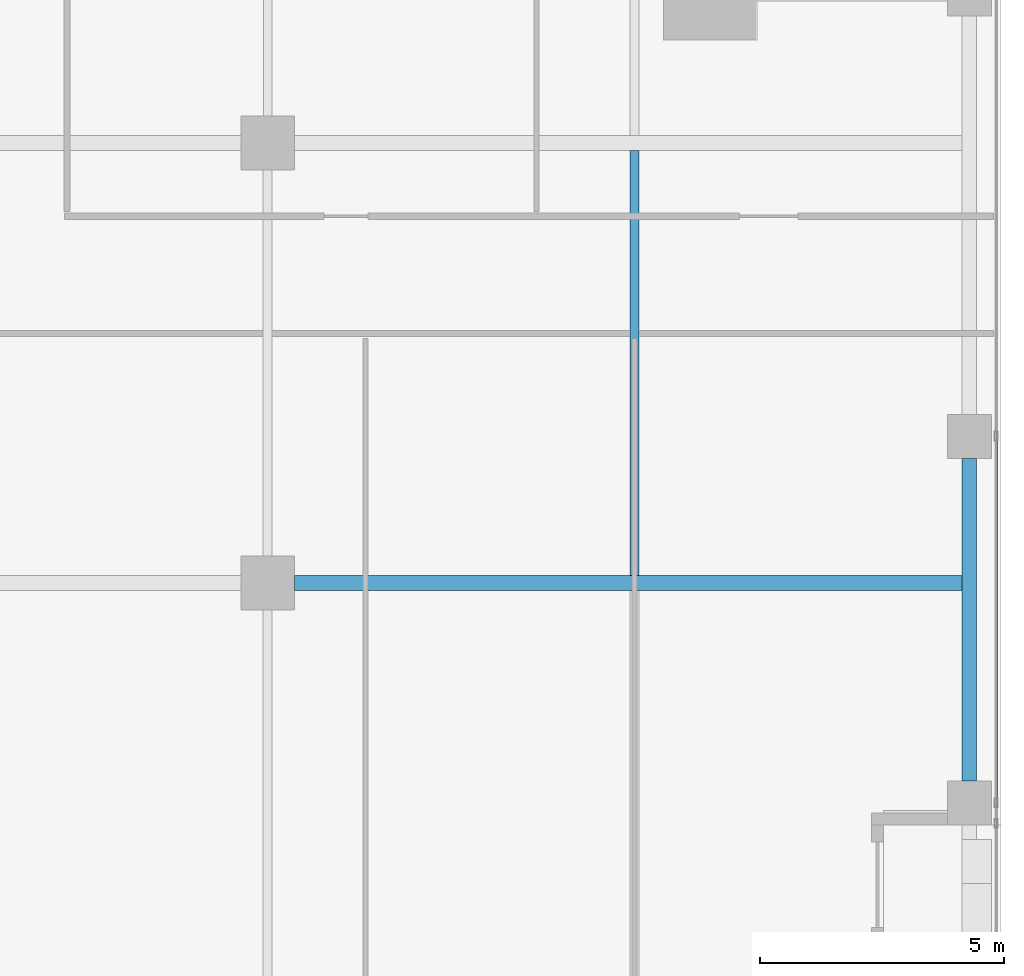
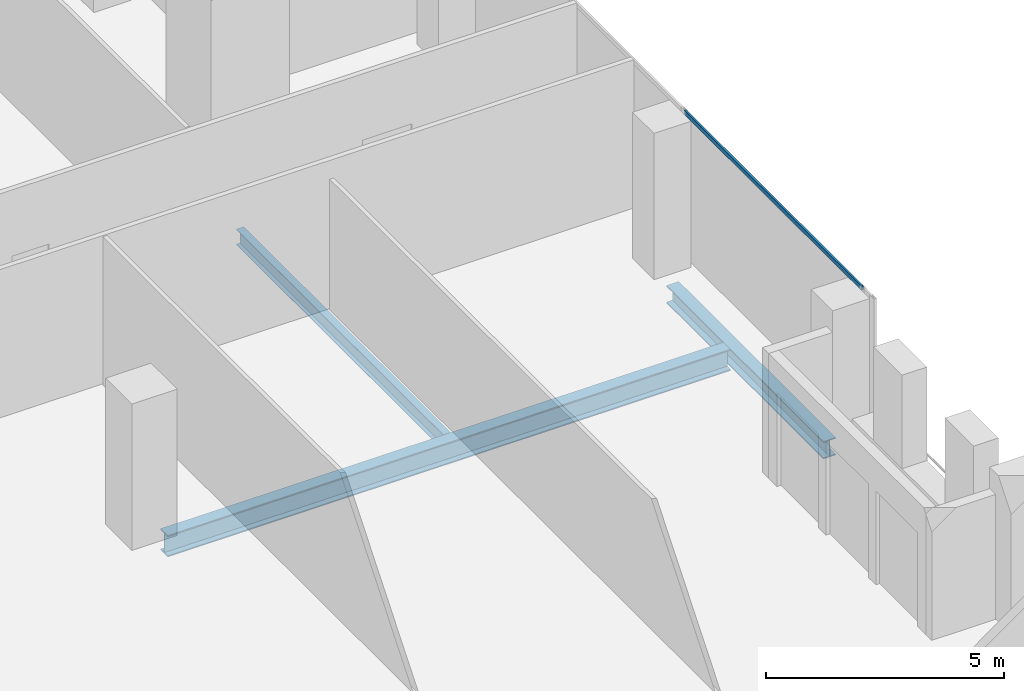
# One storey, part 14 of 35: 3 beams, 1 member, 1 element without a shape of its own.
"""IFC4 building model written with IfcOpenShell, lengths in metres."""

import ifcopenshell
import ifcopenshell.guid

model = None  # the IFC model being written
_history = None  # IfcOwnerHistory: only IFC2X3 demands one
_inside = {}  # id of a spatial element -> (the spatial element, [elements in it])
_under = {}  # id of a project, library or spatial element -> (it, [spatial elements below it])
_declared = {}  # id of a project -> (the project, [libraries it declares])
_typed = {}  # id of a type object -> (the type object, [elements of that type])
_made_of = {}  # id of a material, layer set ... -> (it, [elements and type objects made of it])


def new_model(schema):
    """Start an empty IFC model of exactly this schema.

    Asked for "IFC4X3", IfcOpenShell would pick the latest addendum, in which some entities
    have other attributes; the version numbers below select the first issue.
    IFC2X3 requires an IfcOwnerHistory on every rooted entity: one is made here for all.
    """
    global model, _history
    if schema == "IFC4X3":
        model = ifcopenshell.file(schema_version=(4, 3, 0, 0))
    else:
        model = ifcopenshell.file(schema=schema)
    _inside.clear()
    _under.clear()
    _declared.clear()
    _typed.clear()
    _made_of.clear()
    _history = None
    if model.schema == "IFC2X3":
        org = make("IfcOrganization", Name="unknown")
        user = make(
            "IfcPersonAndOrganization",
            ThePerson=make("IfcPerson", FamilyName="unknown"),
            TheOrganization=org,
        )
        app = make(
            "IfcApplication",
            ApplicationDeveloper=org,
            Version="unknown",
            ApplicationFullName="unknown",
            ApplicationIdentifier="unknown",
        )
        _history = make(
            "IfcOwnerHistory",
            OwningUser=user,
            OwningApplication=app,
            ChangeAction="ADDED",
            CreationDate=0,
        )
    return model


def make(cls, **values):
    """One entity of the class cls with the attributes given. An attribute that is None is left unset."""
    return model.create_entity(
        cls, **{name: value for name, value in values.items() if value is not None}
    )


def rooted(cls, **values):
    """An entity with a GlobalId (a new one), such as an element, a storey or a relation."""
    return make(cls, GlobalId=ifcopenshell.guid.new(), OwnerHistory=_history, **values)


def si_unit(unit_type, name, prefix=None):
    """IfcSIUnit, for example si_unit("LENGTHUNIT", "METRE", prefix="MILLI")."""
    return make("IfcSIUnit", UnitType=unit_type, Prefix=prefix, Name=name)


def assignment(units):
    """IfcUnitAssignment: the units of a project."""
    return None if units is None else make("IfcUnitAssignment", Units=units)


def point(xyz):
    """IfcCartesianPoint."""
    return None if xyz is None else make("IfcCartesianPoint", Coordinates=xyz)


def direction(xyz):
    """IfcDirection."""
    return None if xyz is None else make("IfcDirection", DirectionRatios=xyz)


def frame(location, z_axis=None, x_axis=None):
    """IfcAxis2Placement3D, a coordinate frame: its origin and axes. An axis left out is left unset."""
    return make(
        "IfcAxis2Placement3D",
        Location=point(location),
        Axis=direction(z_axis),
        RefDirection=direction(x_axis),
    )


def frame_2d(location, x_axis=None):
    """IfcAxis2Placement2D, a coordinate frame in the plane: its origin and x axis."""
    return make(
        "IfcAxis2Placement2D", Location=point(location), RefDirection=direction(x_axis)
    )


def origin():
    """The frame at (0, 0, 0) with its axes left unset."""
    return frame((0.0, 0.0, 0.0))


def origin_2d():
    """The frame at (0, 0) in the plane with its x axis left unset."""
    return frame_2d((0.0, 0.0))


def place(relative_to, where):
    """IfcLocalPlacement: puts the frame where relative to a parent placement (None: the world)."""
    return make(
        "IfcLocalPlacement", PlacementRelTo=relative_to, RelativePlacement=where
    )


def context(
    kind, dimensions, precision=None, world=None, true_north=None, identifier=None
):
    """IfcGeometricRepresentationContext, for example the 3D "Model" context."""
    return make(
        "IfcGeometricRepresentationContext",
        ContextIdentifier=identifier,
        ContextType=kind,
        CoordinateSpaceDimension=dimensions,
        Precision=precision,
        WorldCoordinateSystem=world,
        TrueNorth=true_north,
    )


def subcontext(parent, identifier, kind, view, scale=None):
    """IfcGeometricRepresentationSubContext, for example "Body" below "Model"."""
    return make(
        "IfcGeometricRepresentationSubContext",
        ContextIdentifier=identifier,
        ContextType=kind,
        ParentContext=parent,
        TargetScale=scale,
        TargetView=view,
    )


def project(units=None, contexts=None):
    """IfcProject with its units and contexts."""
    return rooted(
        "IfcProject",
        Name="project",
        RepresentationContexts=contexts,
        UnitsInContext=assignment(units),
    )


def spatial(cls, under=None, at=None, **own):
    """A site, building, storey or space (cls), placed at a placement, below another one or the project."""
    s = rooted(cls, ObjectPlacement=at, **own)
    if under is not None:
        _under.setdefault(under.id(), (under, []))[1].append(s)
    return s


def profile(cls, at=None, kind="AREA", **sizes):
    """A parametric profile (cls). Its sizes go by their IFC names, for example OverallWidth=200.0."""
    return make(cls, ProfileType=kind, Position=at, **sizes)


def hollow_rectangle(**sizes):
    """IfcRectangleHollowProfileDef."""
    return profile("IfcRectangleHollowProfileDef", **sizes)


def i_section(**sizes):
    """IfcIShapeProfileDef."""
    return profile("IfcIShapeProfileDef", **sizes)


def extrude(swept, where, along, depth):
    """IfcExtrudedAreaSolid: the profile swept, set in the frame where, extruded along a direction by depth."""
    return make(
        "IfcExtrudedAreaSolid",
        SweptArea=swept,
        Position=where,
        ExtrudedDirection=direction(along),
        Depth=depth,
    )


def shape(context_of_items, identifier, shape_type, items):
    """IfcShapeRepresentation: the items that make up one representation, for example the "Body"."""
    return make(
        "IfcShapeRepresentation",
        ContextOfItems=context_of_items,
        RepresentationIdentifier=identifier,
        RepresentationType=shape_type,
        Items=items,
    )


def source(mapping_origin, context_of_items, identifier, shape_type, items):
    """IfcRepresentationMap: a shape defined once, which mapped items show again and again."""
    return make(
        "IfcRepresentationMap",
        MappingOrigin=mapping_origin,
        MappedRepresentation=shape(context_of_items, identifier, shape_type, items),
    )


def transform(
    local_origin,
    x_axis=None,
    y_axis=None,
    z_axis=None,
    scale=None,
    scale2=None,
    scale3=None,
    uniform=True,
):
    """IfcCartesianTransformationOperator3D, or its non-uniform kind. x_axis, y_axis, z_axis: its Axis1, 2, 3."""
    if uniform:
        return make(
            "IfcCartesianTransformationOperator3D",
            Axis1=direction(x_axis),
            Axis2=direction(y_axis),
            LocalOrigin=point(local_origin),
            Scale=scale,
            Axis3=direction(z_axis),
        )
    return make(
        "IfcCartesianTransformationOperator3DnonUniform",
        Axis1=direction(x_axis),
        Axis2=direction(y_axis),
        LocalOrigin=point(local_origin),
        Scale=scale,
        Axis3=direction(z_axis),
        Scale2=scale2,
        Scale3=scale3,
    )


def mapped(mapping_source, mapping_target):
    """IfcMappedItem: shows the shape of a source again, moved by a transform."""
    return make(
        "IfcMappedItem", MappingSource=mapping_source, MappingTarget=mapping_target
    )


def material(Name=None, Category=None):
    """IfcMaterial."""
    return make("IfcMaterial", Name=Name, Category=Category)


def material_profile(
    of_material, cross_section, Name=None, Category=None, Priority=None
):
    """IfcMaterialProfile: a cross section and its material."""
    return make(
        "IfcMaterialProfile",
        Name=Name,
        Material=of_material,
        Profile=cross_section,
        Priority=Priority,
        Category=Category,
    )


def profile_set(profiles, Name=None, composite=None):
    """IfcMaterialProfileSet."""
    return make(
        "IfcMaterialProfileSet",
        Name=Name,
        MaterialProfiles=profiles,
        CompositeProfile=composite,
    )


def made_of(thing, what):
    """Note that an element or type object is made of a material, layer set ...; save() writes the relation."""
    if what is not None:
        _made_of.setdefault(what.id(), (what, []))[1].append(thing)
    return thing


def type_object(cls, material=None, **own):
    """A type object (cls), such as IfcWallType, which elements share."""
    return made_of(rooted(cls, **own), material)


def element(
    cls,
    number,
    at=None,
    inside=None,
    cuts=None,
    type_object=None,
    material=None,
    context=None,
    identifier="Body",
    shape_type=None,
    held_by="IfcProductDefinitionShape",
    body=None,
    shapes=None,
    **own,
):
    """One element of the class cls, such as IfcWall. Its Tag is "e" and its number.

    at: its placement. inside: the storey or other place that contains it. cuts: it is an
    opening in that element (IfcRelVoidsElement). A single representation is given by context,
    identifier, shape_type and body (its items); several are given by shapes. held_by: the class
    of the entity that holds the representations. save() writes the other relations.
    """
    e = rooted(cls, Tag="e%d" % number, ObjectPlacement=at, **own)
    if body is not None:
        shapes = [shape(context, identifier, shape_type, body)]
    if shapes is not None:
        e.Representation = make(held_by, Representations=shapes)
    if inside is not None:
        _inside.setdefault(inside.id(), (inside, []))[1].append(e)
    if cuts is not None:
        rooted(
            "IfcRelVoidsElement", RelatingBuildingElement=cuts, RelatedOpeningElement=e
        )
    if type_object is not None:
        _typed.setdefault(type_object.id(), (type_object, []))[1].append(e)
    return made_of(e, material)


def aggregate(whole, parts):
    """IfcRelAggregates: a whole, such as a stair, and the parts it consists of."""
    return rooted("IfcRelAggregates", RelatingObject=whole, RelatedObjects=parts)


def save(model, path):
    """Write the relations noted so far, then the file.

    IfcRelAggregates (storeys below a building ...), IfcRelContainedInSpatialStructure (elements
    in a storey), IfcRelDefinesByType, IfcRelAssociatesMaterial and IfcRelDeclares: one each for
    every whole, place, type object, material and project.
    """
    for whole, parts in _under.values():
        aggregate(whole, parts)
    for where, things in _inside.values():
        rooted(
            "IfcRelContainedInSpatialStructure",
            RelatedElements=things,
            RelatingStructure=where,
        )
    for kind, things in _typed.values():
        rooted("IfcRelDefinesByType", RelatedObjects=things, RelatingType=kind)
    for what, things in _made_of.values():
        rooted("IfcRelAssociatesMaterial", RelatedObjects=things, RelatingMaterial=what)
    for by, libraries in _declared.values():
        rooted("IfcRelDeclares", RelatingContext=by, RelatedDefinitions=libraries)
    model.write(path)


model = new_model("IFC4")

# Units and contexts
model_context = context("Model", 3, precision=1e-05, world=origin(), true_north=direction((0.0, 1.0)))
body_context = subcontext(model_context, "Body", "Model", "MODEL_VIEW")
ifc_project = project(units=[si_unit("LENGTHUNIT", "METRE"), si_unit("AREAUNIT", "SQUARE_METRE"), si_unit("VOLUMEUNIT", "CUBIC_METRE"), si_unit("PLANEANGLEUNIT", "RADIAN"), si_unit("MASSUNIT", "GRAM", prefix="KILO")], contexts=[model_context])

# Site, building, storey
site_placement = place(None, origin())
site = spatial("IfcSite", under=ifc_project, at=site_placement, CompositionType="ELEMENT")
building_placement = place(site_placement, origin())
building = spatial("IfcBuilding", under=site, at=building_placement, Name="Khomas Fold Tower", CompositionType="ELEMENT")
storey_placement = place(building_placement, frame((0.0, 0.0, 262.199951171875)))
storey = spatial("IfcBuildingStorey", under=building, at=storey_placement, Name="L59", CompositionType="ELEMENT", Elevation=262.199951171875)

# Beams
ifc_material_1 = material(Name="Steel S355", Category="steel")
ifc_material_profile_1 = material_profile(ifc_material_1, i_section(OverallWidth=0.179931640625, OverallDepth=0.39990234375, WebThickness=0.008544921875, FlangeThickness=0.013427734375, at=origin_2d()), Name="IPE 400")
ifc_profile_set_1 = profile_set([ifc_material_profile_1], Name="Steel S355")
beam_type_1 = type_object("IfcBeamType", Name="IPE 400 beam JB3", PredefinedType="BEAM", material=ifc_profile_set_1)
shared_shape_1 = source(origin(), body_context, "Body", "SweptSolid", [
    extrude(i_section(OverallWidth=0.179931640625, OverallDepth=0.39990234375, WebThickness=0.008544921875, FlangeThickness=0.013427734375, at=origin_2d()), origin(), (0.0, 0.0, 1.0), 8.7001953125),
])
beam_1_placement = place(storey_placement, frame((42.0, 31.64990234375, -0.449951171875), z_axis=(0.0, 1.0, 0.0), x_axis=(-1.0, 0.0, 0.0)))
element("IfcBeam", 1, at=beam_1_placement, inside=storey, type_object=beam_type_1, Name="JB3", PredefinedType="BEAM", context=body_context, shape_type="MappedRepresentation", body=[
    mapped(shared_shape_1, transform((0.0, 0.0, 0.0))),
])
ifc_material_2 = material(Name="Steel S355", Category="steel")
ifc_material_profile_2 = material_profile(ifc_material_2, i_section(OverallWidth=0.300048828125, OverallDepth=0.449951171875, WebThickness=0.013916015625, FlangeThickness=0.02587890625, at=origin_2d()), Name="HE 450 B")
ifc_profile_set_2 = profile_set([ifc_material_profile_2], Name="Steel S355")
beam_type_2 = type_object("IfcBeamType", Name="HE 450 B spandrel SB4", PredefinedType="SPANDREL", material=ifc_profile_set_2)
shared_shape_2 = source(origin(), body_context, "Body", "SweptSolid", [
    extrude(i_section(OverallWidth=0.300048828125, OverallDepth=0.449951171875, WebThickness=0.013916015625, FlangeThickness=0.02587890625, at=origin_2d()), origin(), (0.0, 0.0, 1.0), 6.60009765625),
])
beam_2_placement = place(storey_placement, frame((48.85009765625, 27.449951171875, -0.474853515625), z_axis=(0.0, 1.0, 0.0), x_axis=(-1.0, 0.0, 0.0)))
element("IfcBeam", 2, at=beam_2_placement, inside=storey, type_object=beam_type_2, Name="SB4", PredefinedType="SPANDREL", context=body_context, shape_type="MappedRepresentation", body=[
    mapped(shared_shape_2, transform((0.0, 0.0, 0.0))),
])
ifc_material_3 = material(Name="Steel S355", Category="steel")
ifc_material_profile_3 = material_profile(ifc_material_3, i_section(OverallWidth=0.300048828125, OverallDepth=0.550048828125, WebThickness=0.014892578125, FlangeThickness=0.029052734375, at=origin_2d()), Name="HE 550 B")
ifc_profile_set_3 = profile_set([ifc_material_profile_3], Name="Steel S355")
beam_type_3 = type_object("IfcBeamType", Name="HE 550 B beam GB4", PredefinedType="BEAM", material=ifc_profile_set_3)
shared_shape_3 = source(origin(), body_context, "Body", "SweptSolid", [
    extrude(i_section(OverallWidth=0.300048828125, OverallDepth=0.550048828125, WebThickness=0.014892578125, FlangeThickness=0.029052734375, at=origin_2d()), origin(), (0.0, 0.0, 1.0), 13.64990234375),
])
beam_3_placement = place(storey_placement, frame((35.050048828125, 31.5, -0.52490234375), z_axis=(1.0, 0.0, 0.0), x_axis=(0.0, 1.0, 0.0)))
element("IfcBeam", 3, at=beam_3_placement, inside=storey, type_object=beam_type_3, Name="GB4", PredefinedType="BEAM", context=body_context, shape_type="MappedRepresentation", body=[
    mapped(shared_shape_3, transform((0.0, 0.0, 0.0))),
])

# Curtain wall, member
ifc_material_4 = material(Name="Aluminium framed double glazing", Category="aluminium")
curtain_wall_type = type_object("IfcCurtainWallType", Name="SK-Unitised clear-glass wall, office floors CW2", PredefinedType="NOTDEFINED", material=ifc_material_4)
curtain_wall_placement = place(storey_placement, origin())
curtain_wall = element("IfcCurtainWall", 4, at=curtain_wall_placement, inside=storey, type_object=curtain_wall_type, Name="CW2 run L59 03-1", PredefinedType="NOTDEFINED")
ifc_material_5 = material(Name="Aluminium", Category="aluminium")
ifc_material_profile_4 = material_profile(ifc_material_5, hollow_rectangle(XDim=0.050048828125, YDim=0.110107421875, WallThickness=0.00390625, at=origin_2d()), Name="SK-Unitised clear-glass wall, office floors transom CW2-T")
ifc_profile_set_4 = profile_set([ifc_material_profile_4], Name="Aluminium")
member_type = type_object("IfcMemberType", Name="SK-Unitised clear-glass wall, office floors transom CW2-T", PredefinedType="USERDEFINED", material=ifc_profile_set_4)
shared_shape_4 = source(origin(), body_context, "Body", "SweptSolid", [
    extrude(hollow_rectangle(XDim=0.050048828125, YDim=0.110107421875, WallThickness=0.00390625, at=origin_2d()), origin(), (0.0, 0.0, 1.0), 7.43994140625),
])
member_placement = place(storey_placement, frame((49.39990234375, 27.030029296875, 3.695068359375), z_axis=(0.0, 1.0, 0.0), x_axis=(-1.0, 0.0, 0.0)))
member = element("IfcMember", 5, at=member_placement, type_object=member_type, Name="CW2 transom 2", ObjectType="TRANSOM", PredefinedType="USERDEFINED", context=body_context, shape_type="MappedRepresentation", body=[
    mapped(shared_shape_4, transform((0.0, 0.0, 0.0))),
])
aggregate(curtain_wall, [member])

save(model, "model.ifc")
